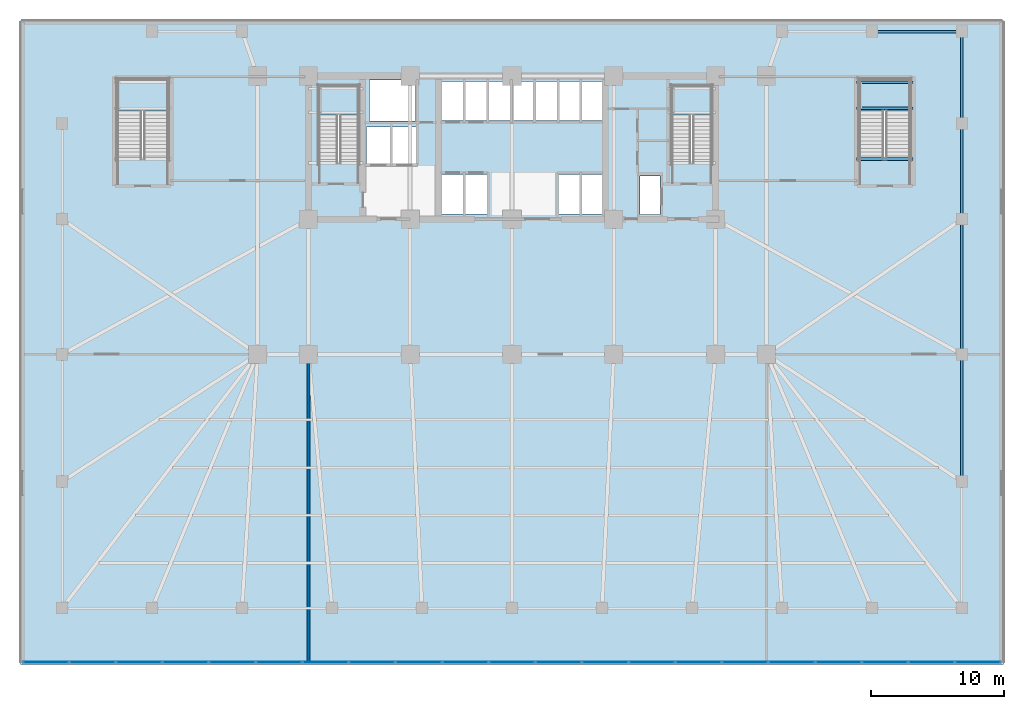
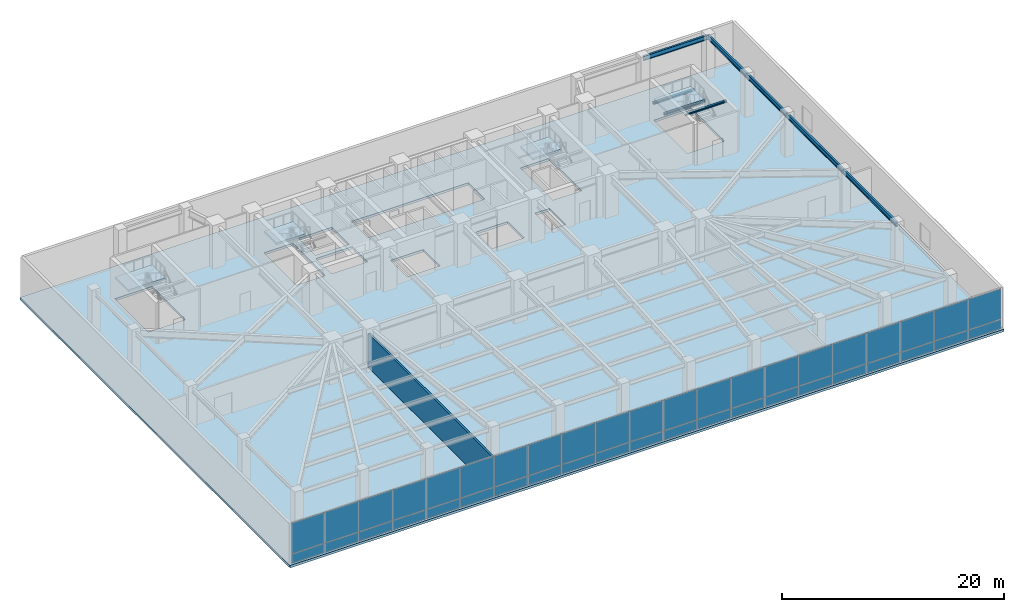
# One storey, part 11 of 19: 42 plates, 8 beams, 5 slabs, 1 wall, 5 elements without a shape of their own.
"""IFC4 building model written with IfcOpenShell, lengths in metres."""

import ifcopenshell
import ifcopenshell.guid

model = None  # the IFC model being written
_history = None  # IfcOwnerHistory: only IFC2X3 demands one
_inside = {}  # id of a spatial element -> (the spatial element, [elements in it])
_under = {}  # id of a project, library or spatial element -> (it, [spatial elements below it])
_declared = {}  # id of a project -> (the project, [libraries it declares])
_typed = {}  # id of a type object -> (the type object, [elements of that type])
_made_of = {}  # id of a material, layer set ... -> (it, [elements and type objects made of it])


def new_model(schema):
    """Start an empty IFC model of exactly this schema.

    Asked for "IFC4X3", IfcOpenShell would pick the latest addendum, in which some entities
    have other attributes; the version numbers below select the first issue.
    IFC2X3 requires an IfcOwnerHistory on every rooted entity: one is made here for all.
    """
    global model, _history
    if schema == "IFC4X3":
        model = ifcopenshell.file(schema_version=(4, 3, 0, 0))
    else:
        model = ifcopenshell.file(schema=schema)
    _inside.clear()
    _under.clear()
    _declared.clear()
    _typed.clear()
    _made_of.clear()
    _history = None
    if model.schema == "IFC2X3":
        org = make("IfcOrganization", Name="unknown")
        user = make(
            "IfcPersonAndOrganization",
            ThePerson=make("IfcPerson", FamilyName="unknown"),
            TheOrganization=org,
        )
        app = make(
            "IfcApplication",
            ApplicationDeveloper=org,
            Version="unknown",
            ApplicationFullName="unknown",
            ApplicationIdentifier="unknown",
        )
        _history = make(
            "IfcOwnerHistory",
            OwningUser=user,
            OwningApplication=app,
            ChangeAction="ADDED",
            CreationDate=0,
        )
    return model


def make(cls, **values):
    """One entity of the class cls with the attributes given. An attribute that is None is left unset."""
    return model.create_entity(
        cls, **{name: value for name, value in values.items() if value is not None}
    )


def rooted(cls, **values):
    """An entity with a GlobalId (a new one), such as an element, a storey or a relation."""
    return make(cls, GlobalId=ifcopenshell.guid.new(), OwnerHistory=_history, **values)


def si_unit(unit_type, name, prefix=None):
    """IfcSIUnit, for example si_unit("LENGTHUNIT", "METRE", prefix="MILLI")."""
    return make("IfcSIUnit", UnitType=unit_type, Prefix=prefix, Name=name)


def assignment(units):
    """IfcUnitAssignment: the units of a project."""
    return None if units is None else make("IfcUnitAssignment", Units=units)


def point(xyz):
    """IfcCartesianPoint."""
    return None if xyz is None else make("IfcCartesianPoint", Coordinates=xyz)


def direction(xyz):
    """IfcDirection."""
    return None if xyz is None else make("IfcDirection", DirectionRatios=xyz)


def frame(location, z_axis=None, x_axis=None):
    """IfcAxis2Placement3D, a coordinate frame: its origin and axes. An axis left out is left unset."""
    return make(
        "IfcAxis2Placement3D",
        Location=point(location),
        Axis=direction(z_axis),
        RefDirection=direction(x_axis),
    )


def frame_2d(location, x_axis=None):
    """IfcAxis2Placement2D, a coordinate frame in the plane: its origin and x axis."""
    return make(
        "IfcAxis2Placement2D", Location=point(location), RefDirection=direction(x_axis)
    )


def origin():
    """The frame at (0, 0, 0) with its axes left unset."""
    return frame((0.0, 0.0, 0.0))


def origin_2d():
    """The frame at (0, 0) in the plane with its x axis left unset."""
    return frame_2d((0.0, 0.0))


def place(relative_to, where):
    """IfcLocalPlacement: puts the frame where relative to a parent placement (None: the world)."""
    return make(
        "IfcLocalPlacement", PlacementRelTo=relative_to, RelativePlacement=where
    )


def context(
    kind, dimensions, precision=None, world=None, true_north=None, identifier=None
):
    """IfcGeometricRepresentationContext, for example the 3D "Model" context."""
    return make(
        "IfcGeometricRepresentationContext",
        ContextIdentifier=identifier,
        ContextType=kind,
        CoordinateSpaceDimension=dimensions,
        Precision=precision,
        WorldCoordinateSystem=world,
        TrueNorth=true_north,
    )


def subcontext(parent, identifier, kind, view, scale=None):
    """IfcGeometricRepresentationSubContext, for example "Body" below "Model"."""
    return make(
        "IfcGeometricRepresentationSubContext",
        ContextIdentifier=identifier,
        ContextType=kind,
        ParentContext=parent,
        TargetScale=scale,
        TargetView=view,
    )


def project(units=None, contexts=None):
    """IfcProject with its units and contexts."""
    return rooted(
        "IfcProject",
        Name="project",
        RepresentationContexts=contexts,
        UnitsInContext=assignment(units),
    )


def spatial(cls, under=None, at=None, **own):
    """A site, building, storey or space (cls), placed at a placement, below another one or the project."""
    s = rooted(cls, ObjectPlacement=at, **own)
    if under is not None:
        _under.setdefault(under.id(), (under, []))[1].append(s)
    return s


def polyline(points):
    """IfcPolyline through the points."""
    return make("IfcPolyline", Points=[point(p) for p in points])


def profile(cls, at=None, kind="AREA", **sizes):
    """A parametric profile (cls). Its sizes go by their IFC names, for example OverallWidth=200.0."""
    return make(cls, ProfileType=kind, Position=at, **sizes)


def rectangle(**sizes):
    """IfcRectangleProfileDef."""
    return profile("IfcRectangleProfileDef", **sizes)


def i_section(**sizes):
    """IfcIShapeProfileDef."""
    return profile("IfcIShapeProfileDef", **sizes)


def outline(outer, holes=None, kind="AREA"):
    """IfcArbitraryClosedProfileDef: a profile drawn as a closed curve; with holes, ...WithVoids."""
    if holes is None:
        return make("IfcArbitraryClosedProfileDef", ProfileType=kind, OuterCurve=outer)
    return make(
        "IfcArbitraryProfileDefWithVoids",
        ProfileType=kind,
        OuterCurve=outer,
        InnerCurves=holes,
    )


def extrude(swept, where, along, depth):
    """IfcExtrudedAreaSolid: the profile swept, set in the frame where, extruded along a direction by depth."""
    return make(
        "IfcExtrudedAreaSolid",
        SweptArea=swept,
        Position=where,
        ExtrudedDirection=direction(along),
        Depth=depth,
    )


def shape(context_of_items, identifier, shape_type, items):
    """IfcShapeRepresentation: the items that make up one representation, for example the "Body"."""
    return make(
        "IfcShapeRepresentation",
        ContextOfItems=context_of_items,
        RepresentationIdentifier=identifier,
        RepresentationType=shape_type,
        Items=items,
    )


def material(Name=None, Category=None):
    """IfcMaterial."""
    return make("IfcMaterial", Name=Name, Category=Category)


def layer(
    of_material, thickness, ventilated=None, Name=None, Category=None, Priority=None
):
    """IfcMaterialLayer: one layer of a wall or slab, of a material (None: an air gap)."""
    return make(
        "IfcMaterialLayer",
        Material=of_material,
        LayerThickness=thickness,
        IsVentilated=ventilated,
        Name=Name,
        Category=Category,
        Priority=Priority,
    )


def layer_set(layers, Name=None):
    """IfcMaterialLayerSet."""
    return make("IfcMaterialLayerSet", MaterialLayers=layers, LayerSetName=Name)


def material_profile(
    of_material, cross_section, Name=None, Category=None, Priority=None
):
    """IfcMaterialProfile: a cross section and its material."""
    return make(
        "IfcMaterialProfile",
        Name=Name,
        Material=of_material,
        Profile=cross_section,
        Priority=Priority,
        Category=Category,
    )


def profile_set(profiles, Name=None, composite=None):
    """IfcMaterialProfileSet."""
    return make(
        "IfcMaterialProfileSet",
        Name=Name,
        MaterialProfiles=profiles,
        CompositeProfile=composite,
    )


def made_of(thing, what):
    """Note that an element or type object is made of a material, layer set ...; save() writes the relation."""
    if what is not None:
        _made_of.setdefault(what.id(), (what, []))[1].append(thing)
    return thing


def type_object(cls, material=None, **own):
    """A type object (cls), such as IfcWallType, which elements share."""
    return made_of(rooted(cls, **own), material)


def element(
    cls,
    number,
    at=None,
    inside=None,
    cuts=None,
    type_object=None,
    material=None,
    context=None,
    identifier="Body",
    shape_type=None,
    held_by="IfcProductDefinitionShape",
    body=None,
    shapes=None,
    **own,
):
    """One element of the class cls, such as IfcWall. Its Tag is "e" and its number.

    at: its placement. inside: the storey or other place that contains it. cuts: it is an
    opening in that element (IfcRelVoidsElement). A single representation is given by context,
    identifier, shape_type and body (its items); several are given by shapes. held_by: the class
    of the entity that holds the representations. save() writes the other relations.
    """
    e = rooted(cls, Tag="e%d" % number, ObjectPlacement=at, **own)
    if body is not None:
        shapes = [shape(context, identifier, shape_type, body)]
    if shapes is not None:
        e.Representation = make(held_by, Representations=shapes)
    if inside is not None:
        _inside.setdefault(inside.id(), (inside, []))[1].append(e)
    if cuts is not None:
        rooted(
            "IfcRelVoidsElement", RelatingBuildingElement=cuts, RelatedOpeningElement=e
        )
    if type_object is not None:
        _typed.setdefault(type_object.id(), (type_object, []))[1].append(e)
    return made_of(e, material)


def aggregate(whole, parts):
    """IfcRelAggregates: a whole, such as a stair, and the parts it consists of."""
    return rooted("IfcRelAggregates", RelatingObject=whole, RelatedObjects=parts)


def save(model, path):
    """Write the relations noted so far, then the file.

    IfcRelAggregates (storeys below a building ...), IfcRelContainedInSpatialStructure (elements
    in a storey), IfcRelDefinesByType, IfcRelAssociatesMaterial and IfcRelDeclares: one each for
    every whole, place, type object, material and project.
    """
    for whole, parts in _under.values():
        aggregate(whole, parts)
    for where, things in _inside.values():
        rooted(
            "IfcRelContainedInSpatialStructure",
            RelatedElements=things,
            RelatingStructure=where,
        )
    for kind, things in _typed.values():
        rooted("IfcRelDefinesByType", RelatedObjects=things, RelatingType=kind)
    for what, things in _made_of.values():
        rooted("IfcRelAssociatesMaterial", RelatedObjects=things, RelatingMaterial=what)
    for by, libraries in _declared.values():
        rooted("IfcRelDeclares", RelatingContext=by, RelatedDefinitions=libraries)
    model.write(path)


model = new_model("IFC4")

# Units and contexts
model_context = context("Model", 3, precision=1e-05, world=origin(), true_north=direction((0.0, 1.0)))
body_context = subcontext(model_context, "Body", "Model", "MODEL_VIEW")
ifc_project = project(units=[si_unit("LENGTHUNIT", "METRE"), si_unit("AREAUNIT", "SQUARE_METRE"), si_unit("VOLUMEUNIT", "CUBIC_METRE"), si_unit("PLANEANGLEUNIT", "RADIAN"), si_unit("MASSUNIT", "GRAM", prefix="KILO")], contexts=[model_context])

# Site, building, storey
site_placement = place(None, origin())
site = spatial("IfcSite", under=ifc_project, at=site_placement, CompositionType="ELEMENT")
building_placement = place(site_placement, origin())
building = spatial("IfcBuilding", under=site, at=building_placement, Name="Yelkora Congress Tower", CompositionType="ELEMENT")
storey_placement = place(building_placement, frame((0.0, 0.0, 15.60009765625)))
storey = spatial("IfcBuildingStorey", under=building, at=storey_placement, Name="L03", CompositionType="ELEMENT", Elevation=15.60009765625)

# Beams
ifc_material_1 = material(Name="Steel S355J2", Category="steel")
ifc_material_profile_1 = material_profile(ifc_material_1, i_section(OverallWidth=0.199951171875, OverallDepth=0.18994140625, WebThickness=0.006591796875, FlangeThickness=0.010009765625, FilletRadius=0.01806640625, at=origin_2d()), Name="HEA 200")
ifc_profile_set_1 = profile_set([ifc_material_profile_1], Name="Steel S355J2")
beam_type_1 = type_object("IfcBeamType", Name="BM-LAND-HEA200", PredefinedType="BEAM", material=ifc_profile_set_1)
for number, where, z_axis, x_axis, name in (
    (1, (64.39990234375, 43.760009765625, 2.08447265625), (1.0, 0.0, 0.0), (0.0, 1.0, 0.0), "ST-P2 L03 Landing Header Beam 1S"),
    (2, (64.39990234375, 45.72998046875, 2.08447265625), (1.0, 0.0, 0.0), (0.0, 1.0, 0.0), "ST-P2 L03 Landing Header Beam 1N"),
    (3, (64.39990234375, 39.93994140625, 4.345458984375), (1.0, 0.0, 0.0), (0.0, 1.0, 0.0), "ST-P2 L03 Floor Arrival Stringer Header Beam"),
):
    element("IfcBeam", number, at=place(storey_placement, frame(where, z_axis=z_axis, x_axis=x_axis)), inside=storey, type_object=beam_type_1, Name=name, PredefinedType="BEAM", context=body_context, shape_type="SweptSolid", body=[
        extrude(i_section(OverallWidth=0.199951171875, OverallDepth=0.18994140625, WebThickness=0.006591796875, FlangeThickness=0.010009765625, FilletRadius=0.01806640625, at=origin_2d()), origin(), (0.0, 0.0, 1.0), 4.260009765625),
    ])
ifc_material_profile_2 = material_profile(ifc_material_1, i_section(OverallWidth=0.199951171875, OverallDepth=0.5, WebThickness=0.01025390625, FlangeThickness=0.01611328125, FilletRadius=0.02099609375, at=origin_2d()), Name="IPE 500")
ifc_profile_set_2 = profile_set([ifc_material_profile_2], Name="Steel S355J2")
beam_type_2 = type_object("IfcBeamType", Name="BM-SPAN-IPE500B", PredefinedType="BEAM", material=ifc_profile_set_2)
beam_1_placement = place(storey_placement, frame((72.35009765625, 15.60009765625, 4.289794921875), z_axis=(0.0, 1.0, 0.0), x_axis=(-1.0, 0.0, 0.0)))
element("IfcBeam", 4, at=beam_1_placement, inside=storey, type_object=beam_type_2, Name="L03 Perimeter Beam 13", PredefinedType="BEAM", context=body_context, shape_type="SweptSolid", body=[
    extrude(i_section(OverallWidth=0.199951171875, OverallDepth=0.5, WebThickness=0.01025390625, FlangeThickness=0.01611328125, FilletRadius=0.02099609375, at=origin_2d()), origin(), (0.0, 0.0, 1.0), 9.599853515625),
])
beam_2_placement = place(storey_placement, frame((72.35009765625, 25.199951171875, 4.289794921875), z_axis=(0.0, 1.0, 0.0), x_axis=(-1.0, 0.0, 0.0)))
element("IfcBeam", 5, at=beam_2_placement, inside=storey, type_object=beam_type_2, Name="L03 Perimeter Beam 14", PredefinedType="BEAM", context=body_context, shape_type="SweptSolid", body=[
    extrude(i_section(OverallWidth=0.199951171875, OverallDepth=0.5, WebThickness=0.01025390625, FlangeThickness=0.01611328125, FilletRadius=0.02099609375, at=origin_2d()), origin(), (0.0, 0.0, 1.0), 10.199951171875),
])
beam_3_placement = place(storey_placement, frame((72.35009765625, 35.39990234375, 4.289794921875), z_axis=(0.0, 1.0, 0.0), x_axis=(-1.0, 0.0, 0.0)))
element("IfcBeam", 6, at=beam_3_placement, inside=storey, type_object=beam_type_2, Name="L03 Perimeter Beam 15", PredefinedType="BEAM", context=body_context, shape_type="SweptSolid", body=[
    extrude(i_section(OverallWidth=0.199951171875, OverallDepth=0.5, WebThickness=0.01025390625, FlangeThickness=0.01611328125, FilletRadius=0.02099609375, at=origin_2d()), origin(), (0.0, 0.0, 1.0), 7.2001953125),
])
beam_4_placement = place(storey_placement, frame((72.35009765625, 42.60009765625, 4.289794921875), z_axis=(0.0, 1.0, 0.0), x_axis=(-1.0, 0.0, 0.0)))
element("IfcBeam", 7, at=beam_4_placement, inside=storey, type_object=beam_type_2, Name="L03 Perimeter Beam 16", PredefinedType="BEAM", context=body_context, shape_type="SweptSolid", body=[
    extrude(i_section(OverallWidth=0.199951171875, OverallDepth=0.5, WebThickness=0.01025390625, FlangeThickness=0.01611328125, FilletRadius=0.02099609375, at=origin_2d()), origin(), (0.0, 0.0, 1.0), 6.949951171875),
])
beam_5_placement = place(storey_placement, frame((72.35009765625, 49.550048828125, 4.289794921875), z_axis=(-1.0, 0.0, 0.0), x_axis=(0.0, -1.0, 0.0)))
element("IfcBeam", 8, at=beam_5_placement, inside=storey, type_object=beam_type_2, Name="L03 Perimeter Beam 17", PredefinedType="BEAM", context=body_context, shape_type="SweptSolid", body=[
    extrude(i_section(OverallWidth=0.199951171875, OverallDepth=0.5, WebThickness=0.01025390625, FlangeThickness=0.01611328125, FilletRadius=0.02099609375, at=origin_2d()), origin(), (0.0, 0.0, 1.0), 6.7900390625),
])

# Curtain wall, plates
ifc_material_2 = material(Name="Anodised aluminium and insulated glass", Category="aluminium")
curtain_wall_type = type_object("IfcCurtainWallType", Name="CW-SYS-POD", PredefinedType="NOTDEFINED", material=ifc_material_2)
curtain_wall_placement = place(storey_placement, origin())
curtain_wall = element("IfcCurtainWall", 9, at=curtain_wall_placement, inside=storey, type_object=curtain_wall_type, Name="L03 Podium South Curtain Wall", PredefinedType="NOTDEFINED")
ifc_material_3 = material(Name="Double-glazed low-E podium vision glass", Category="glass")
ifc_layer_1 = layer(ifc_material_3, 0.0439453125)
ifc_layer_set_1 = layer_set([ifc_layer_1], Name="Double-glazed low-E podium vision glass")
plate_type = type_object("IfcPlateType", Name="PLT-PN-POD", PredefinedType="CURTAIN_PANEL", material=ifc_layer_set_1)
plate_1_placement = place(storey_placement, frame((73.562255859375, 1.9599609375, 0.06982421875), z_axis=(0.0, 0.0, 1.0), x_axis=(-1.0, 0.0, 0.0)))
plate_1 = element("IfcPlate", 10, at=plate_1_placement, type_object=plate_type, Name="CW-POD panel 1.1", PredefinedType="CURTAIN_PANEL", context=body_context, shape_type="SweptSolid", body=[
    extrude(rectangle(XDim=3.405517578125, YDim=0.0439453125, at=origin_2d()), origin(), (0.0, 0.0, 1.0), 0.9951171875),
])
plate_2_placement = place(storey_placement, frame((73.562255859375, 1.9599609375, 1.135009765625), z_axis=(0.0, 0.0, 1.0), x_axis=(-1.0, 0.0, 0.0)))
plate_2 = element("IfcPlate", 11, at=plate_2_placement, type_object=plate_type, Name="CW-POD panel 1.2", PredefinedType="CURTAIN_PANEL", context=body_context, shape_type="SweptSolid", body=[
    extrude(rectangle(XDim=3.405517578125, YDim=0.0439453125, at=origin_2d()), origin(), (0.0, 0.0, 1.0), 3.3349609375),
])
plate_3_placement = place(storey_placement, frame((70.062744140625, 1.9599609375, 0.06982421875), z_axis=(0.0, 0.0, 1.0), x_axis=(-1.0, 0.0, 0.0)))
plate_3 = element("IfcPlate", 12, at=plate_3_placement, type_object=plate_type, Name="CW-POD panel 2.1", PredefinedType="CURTAIN_PANEL", context=body_context, shape_type="SweptSolid", body=[
    extrude(rectangle(XDim=3.443115234375, YDim=0.0439453125, at=origin_2d()), origin(), (0.0, 0.0, 1.0), 0.9951171875),
])
plate_4_placement = place(storey_placement, frame((70.062744140625, 1.9599609375, 1.135009765625), z_axis=(0.0, 0.0, 1.0), x_axis=(-1.0, 0.0, 0.0)))
plate_4 = element("IfcPlate", 13, at=plate_4_placement, type_object=plate_type, Name="CW-POD panel 2.2", PredefinedType="CURTAIN_PANEL", context=body_context, shape_type="SweptSolid", body=[
    extrude(rectangle(XDim=3.443115234375, YDim=0.0439453125, at=origin_2d()), origin(), (0.0, 0.0, 1.0), 3.3349609375),
])
plate_5_placement = place(storey_placement, frame((66.544677734375, 1.9599609375, 0.06982421875), z_axis=(0.0, 0.0, 1.0), x_axis=(-1.0, 0.0, 0.0)))
plate_5 = element("IfcPlate", 14, at=plate_5_placement, type_object=plate_type, Name="CW-POD panel 3.1", PredefinedType="CURTAIN_PANEL", context=body_context, shape_type="SweptSolid", body=[
    extrude(rectangle(XDim=3.443115234375, YDim=0.0439453125, at=origin_2d()), origin(), (0.0, 0.0, 1.0), 0.9951171875),
])
plate_6_placement = place(storey_placement, frame((66.544677734375, 1.9599609375, 1.135009765625), z_axis=(0.0, 0.0, 1.0), x_axis=(-1.0, 0.0, 0.0)))
plate_6 = element("IfcPlate", 15, at=plate_6_placement, type_object=plate_type, Name="CW-POD panel 3.2", PredefinedType="CURTAIN_PANEL", context=body_context, shape_type="SweptSolid", body=[
    extrude(rectangle(XDim=3.443115234375, YDim=0.0439453125, at=origin_2d()), origin(), (0.0, 0.0, 1.0), 3.3349609375),
])
plate_7_placement = place(storey_placement, frame((63.026611328125, 1.9599609375, 0.06982421875), z_axis=(0.0, 0.0, 1.0), x_axis=(-1.0, 0.0, 0.0)))
plate_7 = element("IfcPlate", 16, at=plate_7_placement, type_object=plate_type, Name="CW-POD panel 4.1", PredefinedType="CURTAIN_PANEL", context=body_context, shape_type="SweptSolid", body=[
    extrude(rectangle(XDim=3.443115234375, YDim=0.0439453125, at=origin_2d()), origin(), (0.0, 0.0, 1.0), 0.9951171875),
])
plate_8_placement = place(storey_placement, frame((63.026611328125, 1.9599609375, 1.135009765625), z_axis=(0.0, 0.0, 1.0), x_axis=(-1.0, 0.0, 0.0)))
plate_8 = element("IfcPlate", 17, at=plate_8_placement, type_object=plate_type, Name="CW-POD panel 4.2", PredefinedType="CURTAIN_PANEL", context=body_context, shape_type="SweptSolid", body=[
    extrude(rectangle(XDim=3.443115234375, YDim=0.0439453125, at=origin_2d()), origin(), (0.0, 0.0, 1.0), 3.3349609375),
])
plate_9_placement = place(storey_placement, frame((59.508544921875, 1.9599609375, 0.06982421875), z_axis=(0.0, 0.0, 1.0), x_axis=(-1.0, 0.0, 0.0)))
plate_9 = element("IfcPlate", 18, at=plate_9_placement, type_object=plate_type, Name="CW-POD panel 5.1", PredefinedType="CURTAIN_PANEL", context=body_context, shape_type="SweptSolid", body=[
    extrude(rectangle(XDim=3.443115234375, YDim=0.0439453125, at=origin_2d()), origin(), (0.0, 0.0, 1.0), 0.9951171875),
])
plate_10_placement = place(storey_placement, frame((59.508544921875, 1.9599609375, 1.135009765625), z_axis=(0.0, 0.0, 1.0), x_axis=(-1.0, 0.0, 0.0)))
plate_10 = element("IfcPlate", 19, at=plate_10_placement, type_object=plate_type, Name="CW-POD panel 5.2", PredefinedType="CURTAIN_PANEL", context=body_context, shape_type="SweptSolid", body=[
    extrude(rectangle(XDim=3.443115234375, YDim=0.0439453125, at=origin_2d()), origin(), (0.0, 0.0, 1.0), 3.3349609375),
])
plate_11_placement = place(storey_placement, frame((55.990478515625, 1.9599609375, 0.06982421875), z_axis=(0.0, 0.0, 1.0), x_axis=(-1.0, 0.0, 0.0)))
plate_11 = element("IfcPlate", 20, at=plate_11_placement, type_object=plate_type, Name="CW-POD panel 6.1", PredefinedType="CURTAIN_PANEL", context=body_context, shape_type="SweptSolid", body=[
    extrude(rectangle(XDim=3.443115234375, YDim=0.0439453125, at=origin_2d()), origin(), (0.0, 0.0, 1.0), 0.9951171875),
])
plate_12_placement = place(storey_placement, frame((55.990478515625, 1.9599609375, 1.135009765625), z_axis=(0.0, 0.0, 1.0), x_axis=(-1.0, 0.0, 0.0)))
plate_12 = element("IfcPlate", 21, at=plate_12_placement, type_object=plate_type, Name="CW-POD panel 6.2", PredefinedType="CURTAIN_PANEL", context=body_context, shape_type="SweptSolid", body=[
    extrude(rectangle(XDim=3.443115234375, YDim=0.0439453125, at=origin_2d()), origin(), (0.0, 0.0, 1.0), 3.3349609375),
])
plate_13_placement = place(storey_placement, frame((52.472412109375, 1.9599609375, 0.06982421875), z_axis=(0.0, 0.0, 1.0), x_axis=(-1.0, 0.0, 0.0)))
plate_13 = element("IfcPlate", 22, at=plate_13_placement, type_object=plate_type, Name="CW-POD panel 7.1", PredefinedType="CURTAIN_PANEL", context=body_context, shape_type="SweptSolid", body=[
    extrude(rectangle(XDim=3.443115234375, YDim=0.0439453125, at=origin_2d()), origin(), (0.0, 0.0, 1.0), 0.9951171875),
])
plate_14_placement = place(storey_placement, frame((52.472412109375, 1.9599609375, 1.135009765625), z_axis=(0.0, 0.0, 1.0), x_axis=(-1.0, 0.0, 0.0)))
plate_14 = element("IfcPlate", 23, at=plate_14_placement, type_object=plate_type, Name="CW-POD panel 7.2", PredefinedType="CURTAIN_PANEL", context=body_context, shape_type="SweptSolid", body=[
    extrude(rectangle(XDim=3.443115234375, YDim=0.0439453125, at=origin_2d()), origin(), (0.0, 0.0, 1.0), 3.3349609375),
])
plate_15_placement = place(storey_placement, frame((48.954345703125, 1.9599609375, 0.06982421875), z_axis=(0.0, 0.0, 1.0), x_axis=(-1.0, 0.0, 0.0)))
plate_15 = element("IfcPlate", 24, at=plate_15_placement, type_object=plate_type, Name="CW-POD panel 8.1", PredefinedType="CURTAIN_PANEL", context=body_context, shape_type="SweptSolid", body=[
    extrude(rectangle(XDim=3.443115234375, YDim=0.0439453125, at=origin_2d()), origin(), (0.0, 0.0, 1.0), 0.9951171875),
])
plate_16_placement = place(storey_placement, frame((48.954345703125, 1.9599609375, 1.135009765625), z_axis=(0.0, 0.0, 1.0), x_axis=(-1.0, 0.0, 0.0)))
plate_16 = element("IfcPlate", 25, at=plate_16_placement, type_object=plate_type, Name="CW-POD panel 8.2", PredefinedType="CURTAIN_PANEL", context=body_context, shape_type="SweptSolid", body=[
    extrude(rectangle(XDim=3.443115234375, YDim=0.0439453125, at=origin_2d()), origin(), (0.0, 0.0, 1.0), 3.3349609375),
])
plate_17_placement = place(storey_placement, frame((45.436279296875, 1.9599609375, 0.06982421875), z_axis=(0.0, 0.0, 1.0), x_axis=(-1.0, 0.0, 0.0)))
plate_17 = element("IfcPlate", 26, at=plate_17_placement, type_object=plate_type, Name="CW-POD panel 9.1", PredefinedType="CURTAIN_PANEL", context=body_context, shape_type="SweptSolid", body=[
    extrude(rectangle(XDim=3.443115234375, YDim=0.0439453125, at=origin_2d()), origin(), (0.0, 0.0, 1.0), 0.9951171875),
])
plate_18_placement = place(storey_placement, frame((45.436279296875, 1.9599609375, 1.135009765625), z_axis=(0.0, 0.0, 1.0), x_axis=(-1.0, 0.0, 0.0)))
plate_18 = element("IfcPlate", 27, at=plate_18_placement, type_object=plate_type, Name="CW-POD panel 9.2", PredefinedType="CURTAIN_PANEL", context=body_context, shape_type="SweptSolid", body=[
    extrude(rectangle(XDim=3.443115234375, YDim=0.0439453125, at=origin_2d()), origin(), (0.0, 0.0, 1.0), 3.3349609375),
])
plate_19_placement = place(storey_placement, frame((41.918212890625, 1.9599609375, 0.06982421875), z_axis=(0.0, 0.0, 1.0), x_axis=(-1.0, 0.0, 0.0)))
plate_19 = element("IfcPlate", 28, at=plate_19_placement, type_object=plate_type, Name="CW-POD panel 10.1", PredefinedType="CURTAIN_PANEL", context=body_context, shape_type="SweptSolid", body=[
    extrude(rectangle(XDim=3.443115234375, YDim=0.0439453125, at=origin_2d()), origin(), (0.0, 0.0, 1.0), 0.9951171875),
])
plate_20_placement = place(storey_placement, frame((41.918212890625, 1.9599609375, 1.135009765625), z_axis=(0.0, 0.0, 1.0), x_axis=(-1.0, 0.0, 0.0)))
plate_20 = element("IfcPlate", 29, at=plate_20_placement, type_object=plate_type, Name="CW-POD panel 10.2", PredefinedType="CURTAIN_PANEL", context=body_context, shape_type="SweptSolid", body=[
    extrude(rectangle(XDim=3.443115234375, YDim=0.0439453125, at=origin_2d()), origin(), (0.0, 0.0, 1.0), 3.3349609375),
])
plate_21_placement = place(storey_placement, frame((38.39990234375, 1.9599609375, 0.06982421875), z_axis=(0.0, 0.0, 1.0), x_axis=(-1.0, 0.0, 0.0)))
plate_21 = element("IfcPlate", 30, at=plate_21_placement, type_object=plate_type, Name="CW-POD panel 11.1", PredefinedType="CURTAIN_PANEL", context=body_context, shape_type="SweptSolid", body=[
    extrude(rectangle(XDim=3.443115234375, YDim=0.0439453125, at=origin_2d()), origin(), (0.0, 0.0, 1.0), 0.9951171875),
])
plate_22_placement = place(storey_placement, frame((38.39990234375, 1.9599609375, 1.135009765625), z_axis=(0.0, 0.0, 1.0), x_axis=(-1.0, 0.0, 0.0)))
plate_22 = element("IfcPlate", 31, at=plate_22_placement, type_object=plate_type, Name="CW-POD panel 11.2", PredefinedType="CURTAIN_PANEL", context=body_context, shape_type="SweptSolid", body=[
    extrude(rectangle(XDim=3.443115234375, YDim=0.0439453125, at=origin_2d()), origin(), (0.0, 0.0, 1.0), 3.3349609375),
])
plate_23_placement = place(storey_placement, frame((34.8818359375, 1.9599609375, 0.06982421875), z_axis=(0.0, 0.0, 1.0), x_axis=(-1.0, 0.0, 0.0)))
plate_23 = element("IfcPlate", 32, at=plate_23_placement, type_object=plate_type, Name="CW-POD panel 12.1", PredefinedType="CURTAIN_PANEL", context=body_context, shape_type="SweptSolid", body=[
    extrude(rectangle(XDim=3.443115234375, YDim=0.0439453125, at=origin_2d()), origin(), (0.0, 0.0, 1.0), 0.9951171875),
])
plate_24_placement = place(storey_placement, frame((34.8818359375, 1.9599609375, 1.135009765625), z_axis=(0.0, 0.0, 1.0), x_axis=(-1.0, 0.0, 0.0)))
plate_24 = element("IfcPlate", 33, at=plate_24_placement, type_object=plate_type, Name="CW-POD panel 12.2", PredefinedType="CURTAIN_PANEL", context=body_context, shape_type="SweptSolid", body=[
    extrude(rectangle(XDim=3.443115234375, YDim=0.0439453125, at=origin_2d()), origin(), (0.0, 0.0, 1.0), 3.3349609375),
])
plate_25_placement = place(storey_placement, frame((31.36376953125, 1.9599609375, 0.06982421875), z_axis=(0.0, 0.0, 1.0), x_axis=(-1.0, 0.0, 0.0)))
plate_25 = element("IfcPlate", 34, at=plate_25_placement, type_object=plate_type, Name="CW-POD panel 13.1", PredefinedType="CURTAIN_PANEL", context=body_context, shape_type="SweptSolid", body=[
    extrude(rectangle(XDim=3.443115234375, YDim=0.0439453125, at=origin_2d()), origin(), (0.0, 0.0, 1.0), 0.9951171875),
])
plate_26_placement = place(storey_placement, frame((31.36376953125, 1.9599609375, 1.135009765625), z_axis=(0.0, 0.0, 1.0), x_axis=(-1.0, 0.0, 0.0)))
plate_26 = element("IfcPlate", 35, at=plate_26_placement, type_object=plate_type, Name="CW-POD panel 13.2", PredefinedType="CURTAIN_PANEL", context=body_context, shape_type="SweptSolid", body=[
    extrude(rectangle(XDim=3.443115234375, YDim=0.0439453125, at=origin_2d()), origin(), (0.0, 0.0, 1.0), 3.3349609375),
])
plate_27_placement = place(storey_placement, frame((27.845703125, 1.9599609375, 0.06982421875), z_axis=(0.0, 0.0, 1.0), x_axis=(-1.0, 0.0, 0.0)))
plate_27 = element("IfcPlate", 36, at=plate_27_placement, type_object=plate_type, Name="CW-POD panel 14.1", PredefinedType="CURTAIN_PANEL", context=body_context, shape_type="SweptSolid", body=[
    extrude(rectangle(XDim=3.443115234375, YDim=0.0439453125, at=origin_2d()), origin(), (0.0, 0.0, 1.0), 0.9951171875),
])
plate_28_placement = place(storey_placement, frame((27.845703125, 1.9599609375, 1.135009765625), z_axis=(0.0, 0.0, 1.0), x_axis=(-1.0, 0.0, 0.0)))
plate_28 = element("IfcPlate", 37, at=plate_28_placement, type_object=plate_type, Name="CW-POD panel 14.2", PredefinedType="CURTAIN_PANEL", context=body_context, shape_type="SweptSolid", body=[
    extrude(rectangle(XDim=3.443115234375, YDim=0.0439453125, at=origin_2d()), origin(), (0.0, 0.0, 1.0), 3.3349609375),
])
plate_29_placement = place(storey_placement, frame((24.32763671875, 1.9599609375, 0.06982421875), z_axis=(0.0, 0.0, 1.0), x_axis=(-1.0, 0.0, 0.0)))
plate_29 = element("IfcPlate", 38, at=plate_29_placement, type_object=plate_type, Name="CW-POD panel 15.1", PredefinedType="CURTAIN_PANEL", context=body_context, shape_type="SweptSolid", body=[
    extrude(rectangle(XDim=3.443115234375, YDim=0.0439453125, at=origin_2d()), origin(), (0.0, 0.0, 1.0), 0.9951171875),
])
plate_30_placement = place(storey_placement, frame((24.32763671875, 1.9599609375, 1.135009765625), z_axis=(0.0, 0.0, 1.0), x_axis=(-1.0, 0.0, 0.0)))
plate_30 = element("IfcPlate", 39, at=plate_30_placement, type_object=plate_type, Name="CW-POD panel 15.2", PredefinedType="CURTAIN_PANEL", context=body_context, shape_type="SweptSolid", body=[
    extrude(rectangle(XDim=3.443115234375, YDim=0.0439453125, at=origin_2d()), origin(), (0.0, 0.0, 1.0), 3.3349609375),
])
plate_31_placement = place(storey_placement, frame((20.8095703125, 1.9599609375, 0.06982421875), z_axis=(0.0, 0.0, 1.0), x_axis=(-1.0, 0.0, 0.0)))
plate_31 = element("IfcPlate", 40, at=plate_31_placement, type_object=plate_type, Name="CW-POD panel 16.1", PredefinedType="CURTAIN_PANEL", context=body_context, shape_type="SweptSolid", body=[
    extrude(rectangle(XDim=3.443115234375, YDim=0.0439453125, at=origin_2d()), origin(), (0.0, 0.0, 1.0), 0.9951171875),
])
plate_32_placement = place(storey_placement, frame((20.8095703125, 1.9599609375, 1.135009765625), z_axis=(0.0, 0.0, 1.0), x_axis=(-1.0, 0.0, 0.0)))
plate_32 = element("IfcPlate", 41, at=plate_32_placement, type_object=plate_type, Name="CW-POD panel 16.2", PredefinedType="CURTAIN_PANEL", context=body_context, shape_type="SweptSolid", body=[
    extrude(rectangle(XDim=3.443115234375, YDim=0.0439453125, at=origin_2d()), origin(), (0.0, 0.0, 1.0), 3.3349609375),
])
plate_33_placement = place(storey_placement, frame((17.29150390625, 1.9599609375, 0.06982421875), z_axis=(0.0, 0.0, 1.0), x_axis=(-1.0, 0.0, 0.0)))
plate_33 = element("IfcPlate", 42, at=plate_33_placement, type_object=plate_type, Name="CW-POD panel 17.1", PredefinedType="CURTAIN_PANEL", context=body_context, shape_type="SweptSolid", body=[
    extrude(rectangle(XDim=3.443115234375, YDim=0.0439453125, at=origin_2d()), origin(), (0.0, 0.0, 1.0), 0.9951171875),
])
plate_34_placement = place(storey_placement, frame((17.29150390625, 1.9599609375, 1.135009765625), z_axis=(0.0, 0.0, 1.0), x_axis=(-1.0, 0.0, 0.0)))
plate_34 = element("IfcPlate", 43, at=plate_34_placement, type_object=plate_type, Name="CW-POD panel 17.2", PredefinedType="CURTAIN_PANEL", context=body_context, shape_type="SweptSolid", body=[
    extrude(rectangle(XDim=3.443115234375, YDim=0.0439453125, at=origin_2d()), origin(), (0.0, 0.0, 1.0), 3.3349609375),
])
plate_35_placement = place(storey_placement, frame((13.7734375, 1.9599609375, 0.06982421875), z_axis=(0.0, 0.0, 1.0), x_axis=(-1.0, 0.0, 0.0)))
plate_35 = element("IfcPlate", 44, at=plate_35_placement, type_object=plate_type, Name="CW-POD panel 18.1", PredefinedType="CURTAIN_PANEL", context=body_context, shape_type="SweptSolid", body=[
    extrude(rectangle(XDim=3.443115234375, YDim=0.0439453125, at=origin_2d()), origin(), (0.0, 0.0, 1.0), 0.9951171875),
])
plate_36_placement = place(storey_placement, frame((13.7734375, 1.9599609375, 1.135009765625), z_axis=(0.0, 0.0, 1.0), x_axis=(-1.0, 0.0, 0.0)))
plate_36 = element("IfcPlate", 45, at=plate_36_placement, type_object=plate_type, Name="CW-POD panel 18.2", PredefinedType="CURTAIN_PANEL", context=body_context, shape_type="SweptSolid", body=[
    extrude(rectangle(XDim=3.443115234375, YDim=0.0439453125, at=origin_2d()), origin(), (0.0, 0.0, 1.0), 3.3349609375),
])
plate_37_placement = place(storey_placement, frame((10.255126953125, 1.9599609375, 0.06982421875), z_axis=(0.0, 0.0, 1.0), x_axis=(-1.0, 0.0, 0.0)))
plate_37 = element("IfcPlate", 46, at=plate_37_placement, type_object=plate_type, Name="CW-POD panel 19.1", PredefinedType="CURTAIN_PANEL", context=body_context, shape_type="SweptSolid", body=[
    extrude(rectangle(XDim=3.443115234375, YDim=0.0439453125, at=origin_2d()), origin(), (0.0, 0.0, 1.0), 0.9951171875),
])
plate_38_placement = place(storey_placement, frame((10.255126953125, 1.9599609375, 1.135009765625), z_axis=(0.0, 0.0, 1.0), x_axis=(-1.0, 0.0, 0.0)))
plate_38 = element("IfcPlate", 47, at=plate_38_placement, type_object=plate_type, Name="CW-POD panel 19.2", PredefinedType="CURTAIN_PANEL", context=body_context, shape_type="SweptSolid", body=[
    extrude(rectangle(XDim=3.443115234375, YDim=0.0439453125, at=origin_2d()), origin(), (0.0, 0.0, 1.0), 3.3349609375),
])
plate_39_placement = place(storey_placement, frame((6.737060546875, 1.9599609375, 0.06982421875), z_axis=(0.0, 0.0, 1.0), x_axis=(-1.0, 0.0, 0.0)))
plate_39 = element("IfcPlate", 48, at=plate_39_placement, type_object=plate_type, Name="CW-POD panel 20.1", PredefinedType="CURTAIN_PANEL", context=body_context, shape_type="SweptSolid", body=[
    extrude(rectangle(XDim=3.443115234375, YDim=0.0439453125, at=origin_2d()), origin(), (0.0, 0.0, 1.0), 0.9951171875),
])
plate_40_placement = place(storey_placement, frame((6.737060546875, 1.9599609375, 1.135009765625), z_axis=(0.0, 0.0, 1.0), x_axis=(-1.0, 0.0, 0.0)))
plate_40 = element("IfcPlate", 49, at=plate_40_placement, type_object=plate_type, Name="CW-POD panel 20.2", PredefinedType="CURTAIN_PANEL", context=body_context, shape_type="SweptSolid", body=[
    extrude(rectangle(XDim=3.443115234375, YDim=0.0439453125, at=origin_2d()), origin(), (0.0, 0.0, 1.0), 3.3349609375),
])
plate_41_placement = place(storey_placement, frame((3.23779296875, 1.9599609375, 0.06982421875), z_axis=(0.0, 0.0, 1.0), x_axis=(-1.0, 0.0, 0.0)))
plate_41 = element("IfcPlate", 50, at=plate_41_placement, type_object=plate_type, Name="CW-POD panel 21.1", PredefinedType="CURTAIN_PANEL", context=body_context, shape_type="SweptSolid", body=[
    extrude(rectangle(XDim=3.405517578125, YDim=0.0439453125, at=origin_2d()), origin(), (0.0, 0.0, 1.0), 0.9951171875),
])
plate_42_placement = place(storey_placement, frame((3.23779296875, 1.9599609375, 1.135009765625), z_axis=(0.0, 0.0, 1.0), x_axis=(-1.0, 0.0, 0.0)))
plate_42 = element("IfcPlate", 51, at=plate_42_placement, type_object=plate_type, Name="CW-POD panel 21.2", PredefinedType="CURTAIN_PANEL", context=body_context, shape_type="SweptSolid", body=[
    extrude(rectangle(XDim=3.405517578125, YDim=0.0439453125, at=origin_2d()), origin(), (0.0, 0.0, 1.0), 3.3349609375),
])
aggregate(curtain_wall, [plate_1, plate_2, plate_3, plate_4, plate_5, plate_6, plate_7, plate_8, plate_9, plate_10, plate_11, plate_12, plate_13, plate_14, plate_15, plate_16, plate_17, plate_18, plate_19, plate_20, plate_21, plate_22, plate_23, plate_24, plate_25, plate_26, plate_27, plate_28, plate_29, plate_30, plate_31, plate_32, plate_33, plate_34, plate_35, plate_36, plate_37, plate_38, plate_39, plate_40, plate_41, plate_42])

# Stair, slab
ifc_material_4 = material(Name="Concrete C40/50", Category="concrete")
stair_type_1 = type_object("IfcStairType", Name="STAIR-HT-1420-R28-171", PredefinedType="HALF_TURN_STAIR", material=ifc_material_4)
stair_1_placement = place(storey_placement, origin())
stair_1 = element("IfcStair", 52, at=stair_1_placement, inside=storey, type_object=stair_type_1, Name="West Core Protected Exit Stair ST-01 (L03)", PredefinedType="HALF_TURN_STAIR")
ifc_layer_2 = layer(ifc_material_4, 0.219970703125)
ifc_layer_set_2 = layer_set([ifc_layer_2], Name="Concrete C40/50")
slab_type_1 = type_object("IfcSlabType", Name="SLAB-LANDING-220", PredefinedType="LANDING", material=ifc_layer_set_2)
slab_1_placement = place(storey_placement, frame((0.0, 0.0, 2.179931640625)))
slab_1 = element("IfcSlab", 53, at=slab_1_placement, type_object=slab_type_1, Name="ST-01 L03 Half Landing 1", PredefinedType="LANDING", context=body_context, shape_type="SweptSolid", body=[
    extrude(outline(polyline([(26.820068359375, 43.239990234375), (26.820068359375, 45.469970703125), (23.820068359375, 45.469970703125), (23.820068359375, 43.239990234375), (26.820068359375, 43.239990234375)])), origin(), (0.0, 0.0, 1.0), 0.219970703125),
])
aggregate(stair_1, [slab_1])

stair_2_placement = place(storey_placement, origin())
stair_2 = element("IfcStair", 54, at=stair_2_placement, inside=storey, type_object=stair_type_1, Name="East Core Protected Exit Stair ST-02 (L03)", PredefinedType="HALF_TURN_STAIR")
slab_2_placement = place(storey_placement, frame((0.0, 0.0, 2.179931640625)))
slab_2 = element("IfcSlab", 55, at=slab_2_placement, type_object=slab_type_1, Name="ST-02 L03 Half Landing 1", PredefinedType="LANDING", context=body_context, shape_type="SweptSolid", body=[
    extrude(outline(polyline([(53.4599609375, 43.239990234375), (53.4599609375, 45.469970703125), (50.4599609375, 45.469970703125), (50.4599609375, 43.239990234375), (53.4599609375, 43.239990234375)])), origin(), (0.0, 0.0, 1.0), 0.219970703125),
])
aggregate(stair_2, [slab_2])

stair_type_2 = type_object("IfcStairType", Name="STAIR-HT-1850-R28-171", PredefinedType="HALF_TURN_STAIR", material=ifc_material_4)
stair_3_placement = place(storey_placement, origin())
stair_3 = element("IfcStair", 56, at=stair_3_placement, inside=storey, type_object=stair_type_2, Name="Podium Exit Stair ST-P1 (L03)", PredefinedType="HALF_TURN_STAIR")
slab_3_placement = place(storey_placement, frame((0.0, 0.0, 2.179931640625)))
slab_3 = element("IfcSlab", 57, at=slab_3_placement, type_object=slab_type_1, Name="ST-P1 L03 Half Landing 1", PredefinedType="LANDING", context=body_context, shape_type="SweptSolid", body=[
    extrude(outline(polyline([(12.4599609375, 43.5400390625), (12.4599609375, 45.949951171875), (8.60009765625, 45.949951171875), (8.60009765625, 43.5400390625), (12.4599609375, 43.5400390625)])), origin(), (0.0, 0.0, 1.0), 0.219970703125),
])
aggregate(stair_3, [slab_3])

stair_4_placement = place(storey_placement, origin())
stair_4 = element("IfcStair", 58, at=stair_4_placement, inside=storey, type_object=stair_type_2, Name="Podium Exit Stair ST-P2 (L03)", PredefinedType="HALF_TURN_STAIR")
slab_4_placement = place(storey_placement, frame((0.0, 0.0, 2.179931640625)))
slab_4 = element("IfcSlab", 59, at=slab_4_placement, type_object=slab_type_1, Name="ST-P2 L03 Half Landing 1", PredefinedType="LANDING", context=body_context, shape_type="SweptSolid", body=[
    extrude(outline(polyline([(68.4599609375, 43.5400390625), (68.4599609375, 45.949951171875), (64.60009765625, 45.949951171875), (64.60009765625, 43.5400390625), (68.4599609375, 43.5400390625)])), origin(), (0.0, 0.0, 1.0), 0.219970703125),
])
aggregate(stair_4, [slab_4])

# Slab
ifc_layer_3 = layer(ifc_material_4, 0.260009765625)
ifc_layer_set_3 = layer_set([ifc_layer_3], Name="Concrete C40/50")
slab_type_2 = type_object("IfcSlabType", Name="SLAB-POD-260", PredefinedType="FLOOR", material=ifc_layer_set_3)
slab_5_placement = place(storey_placement, frame((0.0, 0.0, -0.260009765625)))
element("IfcSlab", 60, at=slab_5_placement, inside=storey, type_object=slab_type_2, Name="L03 Structural Floor Slab", PredefinedType="FLOOR", context=body_context, shape_type="SweptSolid", body=[
    extrude(outline(polyline([(1.300048828125, 1.800048828125), (75.5, 1.800048828125), (75.5, 50.39990234375), (1.300048828125, 50.39990234375), (1.300048828125, 1.800048828125)]), holes=[polyline([(23.820068359375, 39.6298828125), (26.820068359375, 39.6298828125), (26.820068359375, 45.469970703125), (23.820068359375, 45.469970703125), (23.820068359375, 39.6298828125)]), polyline([(50.4599609375, 39.6298828125), (53.4599609375, 39.6298828125), (53.4599609375, 45.469970703125), (50.4599609375, 45.469970703125), (50.4599609375, 39.6298828125)]), polyline([(8.60009765625, 39.929931640625), (12.4599609375, 39.929931640625), (12.4599609375, 45.949951171875), (8.60009765625, 45.949951171875), (8.60009765625, 39.929931640625)]), polyline([(64.60009765625, 39.929931640625), (68.4599609375, 39.929931640625), (68.4599609375, 45.949951171875), (64.60009765625, 45.949951171875), (64.60009765625, 39.929931640625)]), polyline([(48.050048828125, 35.75), (49.550048828125, 35.75), (49.550048828125, 38.64990234375), (48.050048828125, 38.64990234375), (48.050048828125, 35.75)]), polyline([(41.949951171875, 35.800048828125), (45.25, 35.800048828125), (45.25, 38.75), (41.949951171875, 38.75), (41.949951171875, 35.800048828125)]), polyline([(33.10009765625, 42.85009765625), (45.25, 42.85009765625), (45.25, 45.800048828125), (33.10009765625, 45.800048828125), (33.10009765625, 42.85009765625)]), polyline([(33.10009765625, 35.800048828125), (36.5, 35.800048828125), (36.5, 38.75), (33.10009765625, 38.75), (33.10009765625, 35.800048828125)]), polyline([(27.419921875, 39.60009765625), (31.179931640625, 39.60009765625), (31.179931640625, 42.35009765625), (27.419921875, 42.35009765625), (27.419921875, 39.60009765625)]), polyline([(27.64990234375, 42.820068359375), (31.1201171875, 42.820068359375), (31.1201171875, 45.8798828125), (27.64990234375, 45.8798828125), (27.64990234375, 42.820068359375)])]), origin(), (0.0, 0.0, 1.0), 0.260009765625),
])

# Wall
ifc_material_5 = material(Name="Autoclaved high-density acoustic blockwork", Category="masonry")
ifc_layer_4 = layer(ifc_material_5, 0.199951171875)
ifc_layer_set_4 = layer_set([ifc_layer_4], Name="Autoclaved high-density acoustic blockwork")
wall_type = type_object("IfcWallType", Name="WALL-INT-200-R90", PredefinedType="PARTITIONING", material=ifc_layer_set_4)
wall_placement = place(storey_placement, frame((23.0400390625, 1.97998046875, 0.0), z_axis=(0.0, 0.0, 1.0), x_axis=(0.0, 1.0, 0.0)))
element("IfcWall", 61, at=wall_placement, inside=storey, type_object=wall_type, Name="L03 Partition Wall 39", PredefinedType="PARTITIONING", context=body_context, shape_type="SweptSolid", body=[
    extrude(rectangle(XDim=23.219970703125, YDim=0.199951171875, at=frame_2d((11.60986328125, 0.0))), origin(), (0.0, 0.0, 1.0), 3.720947265625),
])

save(model, "model.ifc")
